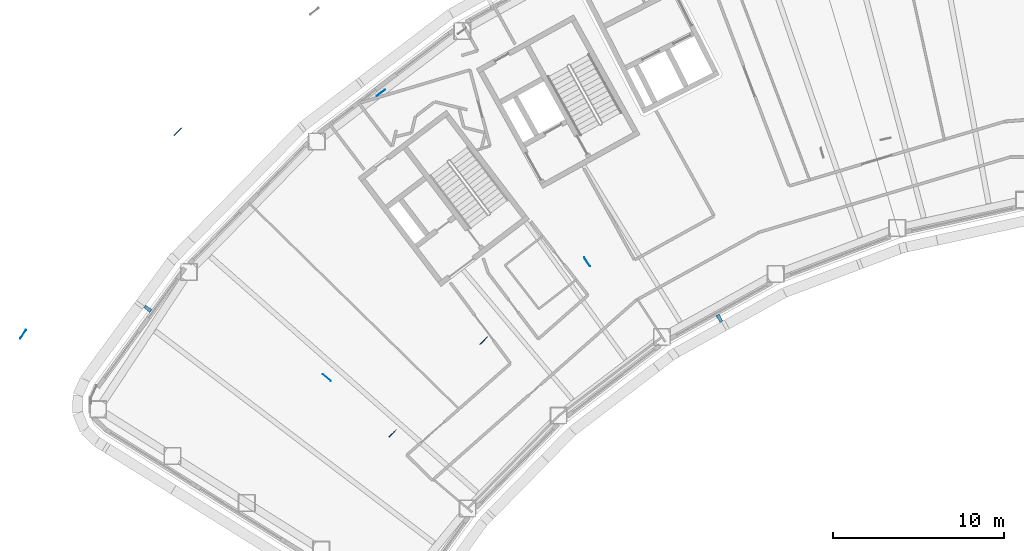
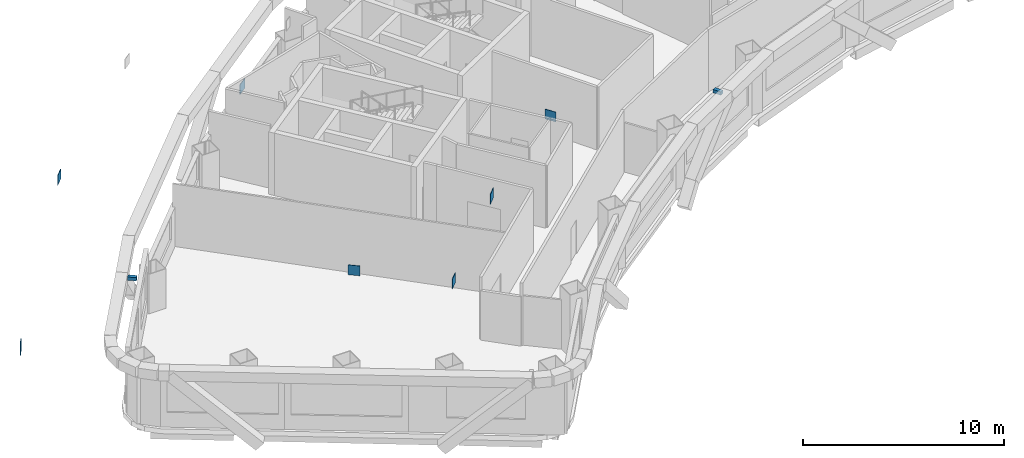
# One storey, part 10 of 19: 9 discrete accessories.
"""IFC4 building model written with IfcOpenShell, lengths in metres."""

import ifcopenshell
import ifcopenshell.guid

model = None  # the IFC model being written
_history = None  # IfcOwnerHistory: only IFC2X3 demands one
_inside = {}  # id of a spatial element -> (the spatial element, [elements in it])
_under = {}  # id of a project, library or spatial element -> (it, [spatial elements below it])
_declared = {}  # id of a project -> (the project, [libraries it declares])
_typed = {}  # id of a type object -> (the type object, [elements of that type])
_made_of = {}  # id of a material, layer set ... -> (it, [elements and type objects made of it])


def new_model(schema):
    """Start an empty IFC model of exactly this schema.

    Asked for "IFC4X3", IfcOpenShell would pick the latest addendum, in which some entities
    have other attributes; the version numbers below select the first issue.
    IFC2X3 requires an IfcOwnerHistory on every rooted entity: one is made here for all.
    """
    global model, _history
    if schema == "IFC4X3":
        model = ifcopenshell.file(schema_version=(4, 3, 0, 0))
    else:
        model = ifcopenshell.file(schema=schema)
    _inside.clear()
    _under.clear()
    _declared.clear()
    _typed.clear()
    _made_of.clear()
    _history = None
    if model.schema == "IFC2X3":
        org = make("IfcOrganization", Name="unknown")
        user = make(
            "IfcPersonAndOrganization",
            ThePerson=make("IfcPerson", FamilyName="unknown"),
            TheOrganization=org,
        )
        app = make(
            "IfcApplication",
            ApplicationDeveloper=org,
            Version="unknown",
            ApplicationFullName="unknown",
            ApplicationIdentifier="unknown",
        )
        _history = make(
            "IfcOwnerHistory",
            OwningUser=user,
            OwningApplication=app,
            ChangeAction="ADDED",
            CreationDate=0,
        )
    return model


def make(cls, **values):
    """One entity of the class cls with the attributes given. An attribute that is None is left unset."""
    return model.create_entity(
        cls, **{name: value for name, value in values.items() if value is not None}
    )


def rooted(cls, **values):
    """An entity with a GlobalId (a new one), such as an element, a storey or a relation."""
    return make(cls, GlobalId=ifcopenshell.guid.new(), OwnerHistory=_history, **values)


def si_unit(unit_type, name, prefix=None):
    """IfcSIUnit, for example si_unit("LENGTHUNIT", "METRE", prefix="MILLI")."""
    return make("IfcSIUnit", UnitType=unit_type, Prefix=prefix, Name=name)


def assignment(units):
    """IfcUnitAssignment: the units of a project."""
    return None if units is None else make("IfcUnitAssignment", Units=units)


def point(xyz):
    """IfcCartesianPoint."""
    return None if xyz is None else make("IfcCartesianPoint", Coordinates=xyz)


def direction(xyz):
    """IfcDirection."""
    return None if xyz is None else make("IfcDirection", DirectionRatios=xyz)


def frame(location, z_axis=None, x_axis=None):
    """IfcAxis2Placement3D, a coordinate frame: its origin and axes. An axis left out is left unset."""
    return make(
        "IfcAxis2Placement3D",
        Location=point(location),
        Axis=direction(z_axis),
        RefDirection=direction(x_axis),
    )


def frame_2d(location, x_axis=None):
    """IfcAxis2Placement2D, a coordinate frame in the plane: its origin and x axis."""
    return make(
        "IfcAxis2Placement2D", Location=point(location), RefDirection=direction(x_axis)
    )


def origin():
    """The frame at (0, 0, 0) with its axes left unset."""
    return frame((0.0, 0.0, 0.0))


def origin_2d():
    """The frame at (0, 0) in the plane with its x axis left unset."""
    return frame_2d((0.0, 0.0))


def place(relative_to, where):
    """IfcLocalPlacement: puts the frame where relative to a parent placement (None: the world)."""
    return make(
        "IfcLocalPlacement", PlacementRelTo=relative_to, RelativePlacement=where
    )


def context(
    kind, dimensions, precision=None, world=None, true_north=None, identifier=None
):
    """IfcGeometricRepresentationContext, for example the 3D "Model" context."""
    return make(
        "IfcGeometricRepresentationContext",
        ContextIdentifier=identifier,
        ContextType=kind,
        CoordinateSpaceDimension=dimensions,
        Precision=precision,
        WorldCoordinateSystem=world,
        TrueNorth=true_north,
    )


def subcontext(parent, identifier, kind, view, scale=None):
    """IfcGeometricRepresentationSubContext, for example "Body" below "Model"."""
    return make(
        "IfcGeometricRepresentationSubContext",
        ContextIdentifier=identifier,
        ContextType=kind,
        ParentContext=parent,
        TargetScale=scale,
        TargetView=view,
    )


def project(units=None, contexts=None):
    """IfcProject with its units and contexts."""
    return rooted(
        "IfcProject",
        Name="project",
        RepresentationContexts=contexts,
        UnitsInContext=assignment(units),
    )


def spatial(cls, under=None, at=None, **own):
    """A site, building, storey or space (cls), placed at a placement, below another one or the project."""
    s = rooted(cls, ObjectPlacement=at, **own)
    if under is not None:
        _under.setdefault(under.id(), (under, []))[1].append(s)
    return s


def profile(cls, at=None, kind="AREA", **sizes):
    """A parametric profile (cls). Its sizes go by their IFC names, for example OverallWidth=200.0."""
    return make(cls, ProfileType=kind, Position=at, **sizes)


def rectangle(**sizes):
    """IfcRectangleProfileDef."""
    return profile("IfcRectangleProfileDef", **sizes)


def extrude(swept, where, along, depth):
    """IfcExtrudedAreaSolid: the profile swept, set in the frame where, extruded along a direction by depth."""
    return make(
        "IfcExtrudedAreaSolid",
        SweptArea=swept,
        Position=where,
        ExtrudedDirection=direction(along),
        Depth=depth,
    )


def shape(context_of_items, identifier, shape_type, items):
    """IfcShapeRepresentation: the items that make up one representation, for example the "Body"."""
    return make(
        "IfcShapeRepresentation",
        ContextOfItems=context_of_items,
        RepresentationIdentifier=identifier,
        RepresentationType=shape_type,
        Items=items,
    )


def material(Name=None, Category=None):
    """IfcMaterial."""
    return make("IfcMaterial", Name=Name, Category=Category)


def made_of(thing, what):
    """Note that an element or type object is made of a material, layer set ...; save() writes the relation."""
    if what is not None:
        _made_of.setdefault(what.id(), (what, []))[1].append(thing)
    return thing


def type_object(cls, material=None, **own):
    """A type object (cls), such as IfcWallType, which elements share."""
    return made_of(rooted(cls, **own), material)


def element(
    cls,
    number,
    at=None,
    inside=None,
    cuts=None,
    type_object=None,
    material=None,
    context=None,
    identifier="Body",
    shape_type=None,
    held_by="IfcProductDefinitionShape",
    body=None,
    shapes=None,
    **own,
):
    """One element of the class cls, such as IfcWall. Its Tag is "e" and its number.

    at: its placement. inside: the storey or other place that contains it. cuts: it is an
    opening in that element (IfcRelVoidsElement). A single representation is given by context,
    identifier, shape_type and body (its items); several are given by shapes. held_by: the class
    of the entity that holds the representations. save() writes the other relations.
    """
    e = rooted(cls, Tag="e%d" % number, ObjectPlacement=at, **own)
    if body is not None:
        shapes = [shape(context, identifier, shape_type, body)]
    if shapes is not None:
        e.Representation = make(held_by, Representations=shapes)
    if inside is not None:
        _inside.setdefault(inside.id(), (inside, []))[1].append(e)
    if cuts is not None:
        rooted(
            "IfcRelVoidsElement", RelatingBuildingElement=cuts, RelatedOpeningElement=e
        )
    if type_object is not None:
        _typed.setdefault(type_object.id(), (type_object, []))[1].append(e)
    return made_of(e, material)


def aggregate(whole, parts):
    """IfcRelAggregates: a whole, such as a stair, and the parts it consists of."""
    return rooted("IfcRelAggregates", RelatingObject=whole, RelatedObjects=parts)


def save(model, path):
    """Write the relations noted so far, then the file.

    IfcRelAggregates (storeys below a building ...), IfcRelContainedInSpatialStructure (elements
    in a storey), IfcRelDefinesByType, IfcRelAssociatesMaterial and IfcRelDeclares: one each for
    every whole, place, type object, material and project.
    """
    for whole, parts in _under.values():
        aggregate(whole, parts)
    for where, things in _inside.values():
        rooted(
            "IfcRelContainedInSpatialStructure",
            RelatedElements=things,
            RelatingStructure=where,
        )
    for kind, things in _typed.values():
        rooted("IfcRelDefinesByType", RelatedObjects=things, RelatingType=kind)
    for what, things in _made_of.values():
        rooted("IfcRelAssociatesMaterial", RelatedObjects=things, RelatingMaterial=what)
    for by, libraries in _declared.values():
        rooted("IfcRelDeclares", RelatingContext=by, RelatedDefinitions=libraries)
    model.write(path)


model = new_model("IFC4")

# Units and contexts
model_context = context("Model", 3, precision=1e-05, world=origin(), true_north=direction((0.0, 1.0)))
body_context = subcontext(model_context, "Body", "Model", "MODEL_VIEW")
ifc_project = project(units=[si_unit("LENGTHUNIT", "METRE"), si_unit("AREAUNIT", "SQUARE_METRE"), si_unit("VOLUMEUNIT", "CUBIC_METRE"), si_unit("PLANEANGLEUNIT", "RADIAN"), si_unit("MASSUNIT", "GRAM", prefix="KILO")], contexts=[model_context])

# Site, building, storey
site_placement = place(None, origin())
site = spatial("IfcSite", under=ifc_project, at=site_placement, CompositionType="ELEMENT")
building_placement = place(site_placement, origin())
building = spatial("IfcBuilding", under=site, at=building_placement, Name="Tuul Gate Civic Tower", CompositionType="ELEMENT")
storey_placement = place(building_placement, frame((0.0, 0.0, 163.39990234375)))
storey = spatial("IfcBuildingStorey", under=building, at=storey_placement, Name="Level 37", CompositionType="ELEMENT", Elevation=163.39990234375)

# Discrete accessories
ifc_material_1 = material(Name="Steel S355", Category="steel")
discrete_accessory_type_1 = type_object("IfcDiscreteAccessoryType", Name="Gusset plate", PredefinedType="BRACKET", material=ifc_material_1)
for number, where, z_axis, x_axis, name in (
    (1, (-42.94091796875, -23.045654296875, 2.796630859375), (0.0, 0.0, 1.0), (-0.76282474496, 0.646605295738, 0.0), "Gusset plate"),
    (2, (-27.734619140625, -16.28857421875, 2.79638671875), (0.0, 0.0, 1.0), (-0.546710516181, 0.837321689375, 0.0), "Gusset plate"),
    (3, (-39.7841796875, -6.411865234375, 2.796630859375), (0.0, 0.0, 1.0), (0.795663839612, 0.605738437227, 0.0), "Gusset plate"),
    (4, (-51.64501953125, -8.6875, 2.796875), (0.0, 0.0, 1.0), (0.700000236809, 0.714142610735, 0.0), "Gusset plate"),
    (5, (-60.68359375, -20.513427734375, 2.796630859375), (0.0, 0.0, 1.0), (0.551597524527, 0.834110406922, 0.0), "Gusset plate"),
    (6, (-39.0908203125, -26.30859375, 2.796630859375), (0.0, 0.0, 1.0), (0.699958144192, 0.714183867347, 0.0), "Gusset plate"),
    (7, (-33.777099609375, -20.88671875, 2.796142578125), (0.0, 0.0, 1.0), (-0.699958144192, -0.714183867347, 0.0), "Gusset plate"),
):
    element("IfcDiscreteAccessory", number, at=place(storey_placement, frame(where, z_axis=z_axis, x_axis=x_axis)), inside=storey, type_object=discrete_accessory_type_1, Name=name, PredefinedType="BRACKET", context=body_context, shape_type="SweptSolid", body=[
        extrude(rectangle(XDim=0.60009765625, YDim=0.030029296875, at=origin_2d()), origin(), (0.0, 0.0, 1.0), 0.60009765625),
    ])
ifc_material_2 = material(Name="Stainless steel", Category="steel")
discrete_accessory_type_2 = type_object("IfcDiscreteAccessoryType", Name="Screen bracket", PredefinedType="BRACKET", material=ifc_material_2)
for number, where, z_axis, x_axis, name in (
    (8, (-53.394287109375, -19.02099609375, 3.75), (0.0, 0.0, 1.0), (-0.802897594812, 0.596116978658, 0.0), "Screen bracket 17"),
    (9, (-19.997314453125, -19.583984375, 3.75), (0.0, 0.0, 1.0), (0.490456645852, -0.871465592286, 0.0), "Screen bracket 23"),
):
    element("IfcDiscreteAccessory", number, at=place(storey_placement, frame(where, z_axis=z_axis, x_axis=x_axis)), inside=storey, type_object=discrete_accessory_type_2, Name=name, PredefinedType="BRACKET", context=body_context, shape_type="SweptSolid", body=[
        extrude(rectangle(XDim=0.449951171875, YDim=0.199951171875, at=origin_2d()), origin(), (0.0, 0.0, 1.0), 0.199951171875),
    ])

save(model, "model.ifc")
